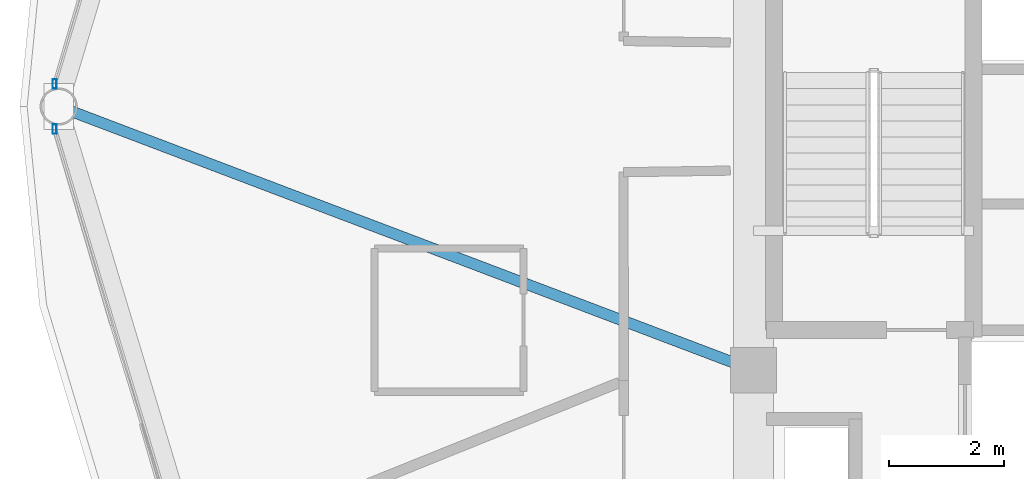
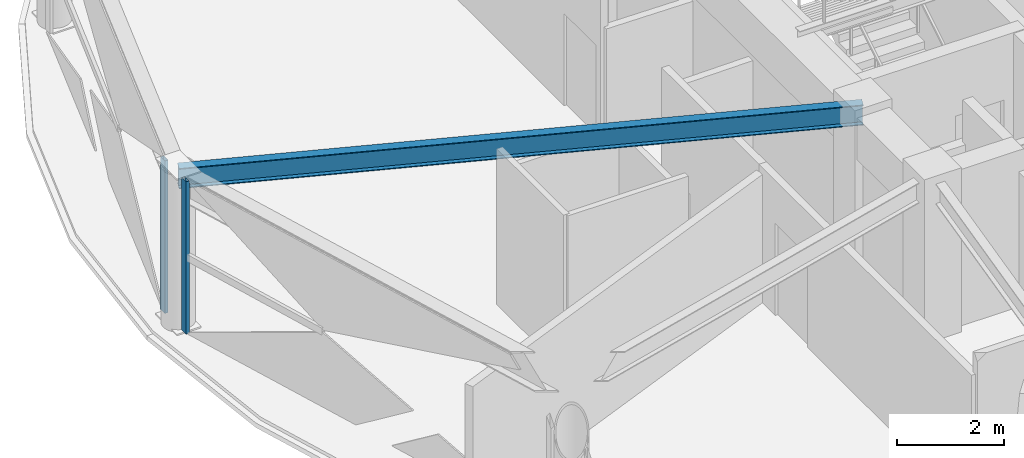
# One storey, part 7 of 28: 2 members, 1 beam, 2 elements without a shape of their own.
"""IFC4 building model written with IfcOpenShell, lengths in metres."""

from ifc_helpers import new_model, si_unit, direction, frame, origin, origin_2d, place, context, subcontext, project, spatial, hollow_rectangle, i_section, extrude, material, layer, layer_set, material_profile, profile_set, type_object, element, aggregate, save


model = new_model("IFC4")

# Units and contexts
model_context = context("Model", 3, precision=1e-05, world=origin(), true_north=direction((0.0, 1.0)))
body_context = subcontext(model_context, "Body", "Model", "MODEL_VIEW")
ifc_project = project(units=[si_unit("LENGTHUNIT", "METRE"), si_unit("AREAUNIT", "SQUARE_METRE"), si_unit("VOLUMEUNIT", "CUBIC_METRE"), si_unit("PLANEANGLEUNIT", "RADIAN"), si_unit("MASSUNIT", "GRAM", prefix="KILO")], contexts=[model_context])

# Site, building, storey
site_placement = place(None, origin())
site = spatial("IfcSite", under=ifc_project, at=site_placement, CompositionType="ELEMENT")
building_placement = place(site_placement, origin())
building = spatial("IfcBuilding", under=site, at=building_placement, Name="Vantalir Tower", CompositionType="ELEMENT")
storey_placement = place(building_placement, frame((0.0, 0.0, 246.14990234375)))
storey = spatial("IfcBuildingStorey", under=building, at=storey_placement, Name="L62", CompositionType="ELEMENT", Elevation=246.14990234375)

# Beam
ifc_material_1 = material(Name="Steel S355", Category="steel")
ifc_material_profile_1 = material_profile(ifc_material_1, i_section(OverallWidth=0.19189453125, OverallDepth=0.462890625, WebThickness=0.010498046875, FlangeThickness=0.017578125, at=origin_2d()), Name="Steel S355")
ifc_profile_set_1 = profile_set([ifc_material_profile_1], Name="Steel S355")
beam_type = type_object("IfcBeamType", Name="BM-RB-457x191", PredefinedType="BEAM", material=ifc_profile_set_1)
beam_placement = place(storey_placement, frame((9.781982421875, 25.0, 3.338134765625), z_axis=(0.934904236312, -0.354900083018, 0.0), x_axis=(0.354900083018, 0.934904236312, 0.0)))
element("IfcBeam", 1, at=beam_placement, inside=storey, type_object=beam_type, Name="L62 Radial Floor Beam 07", PredefinedType="BEAM", context=body_context, shape_type="SweptSolid", body=[
    extrude(i_section(OverallWidth=0.19189453125, OverallDepth=0.462890625, WebThickness=0.010498046875, FlangeThickness=0.017578125, at=origin_2d()), origin(), (0.0, 0.0, 1.0), 12.961669921875),
])

# Curtain wall, member
ifc_material_2 = material(Name="Champagne-silver PVDF aluminium and double-silver Low-E glass", Category="aluminium")
ifc_layer = layer(ifc_material_2, 0.2099609375)
ifc_layer_set = layer_set([ifc_layer], Name="Champagne-silver PVDF aluminium and double-silver Low-E glass")
curtain_wall_type = type_object("IfcCurtainWallType", Name="CW-DIAMOND-Z3", PredefinedType="USERDEFINED", material=ifc_layer_set)
curtain_wall_1_placement = place(storey_placement, origin())
curtain_wall_1 = element("IfcCurtainWall", 2, at=curtain_wall_1_placement, inside=storey, type_object=curtain_wall_type, Name="L62 Quilted Pyramid-Diamond Curtain Wall S06", ObjectType="UNITISED CURTAIN WALL", PredefinedType="USERDEFINED")
ifc_material_3 = material(Name="Champagne-silver PVDF aluminium 6063-T6", Category="aluminium")
ifc_material_profile_2 = material_profile(ifc_material_3, hollow_rectangle(XDim=0.070068359375, YDim=0.1650390625, WallThickness=0.00390625, at=origin_2d()), Name="Champagne-silver PVDF aluminium 6063-T6")
ifc_profile_set_2 = profile_set([ifc_material_profile_2], Name="Champagne-silver PVDF aluminium 6063-T6")
member_type = type_object("IfcMemberType", Name="CWM-165x70", PredefinedType="MULLION", material=ifc_profile_set_2)
member_1_placement = place(storey_placement, frame((9.7099609375, 25.39306640625, 0.045166015625), z_axis=(0.0, 0.0, 1.0), x_axis=(1.0, 0.0, 0.0)))
member_1 = element("IfcMember", 3, at=member_1_placement, type_object=member_type, Name="CW-L62-S06 Mullion 2", PredefinedType="MULLION", context=body_context, shape_type="SweptSolid", body=[
    extrude(hollow_rectangle(XDim=0.070068359375, YDim=0.1650390625, WallThickness=0.00390625, at=origin_2d()), origin(), (0.0, 0.0, 1.0), 3.47998046875),
])
aggregate(curtain_wall_1, [member_1])

curtain_wall_2_placement = place(storey_placement, origin())
curtain_wall_2 = element("IfcCurtainWall", 4, at=curtain_wall_2_placement, inside=storey, type_object=curtain_wall_type, Name="L62 Quilted Pyramid-Diamond Curtain Wall S07", ObjectType="UNITISED CURTAIN WALL", PredefinedType="USERDEFINED")
member_2_placement = place(storey_placement, frame((9.7099609375, 24.60693359375, 0.045166015625), z_axis=(0.0, 0.0, 1.0), x_axis=(1.0, 0.0, 0.0)))
member_2 = element("IfcMember", 5, at=member_2_placement, type_object=member_type, Name="CW-L62-S07 Mullion 1", PredefinedType="MULLION", context=body_context, shape_type="SweptSolid", body=[
    extrude(hollow_rectangle(XDim=0.070068359375, YDim=0.1650390625, WallThickness=0.00390625, at=origin_2d()), origin(), (0.0, 0.0, 1.0), 3.47998046875),
])
aggregate(curtain_wall_2, [member_2])

save(model, "model.ifc")
